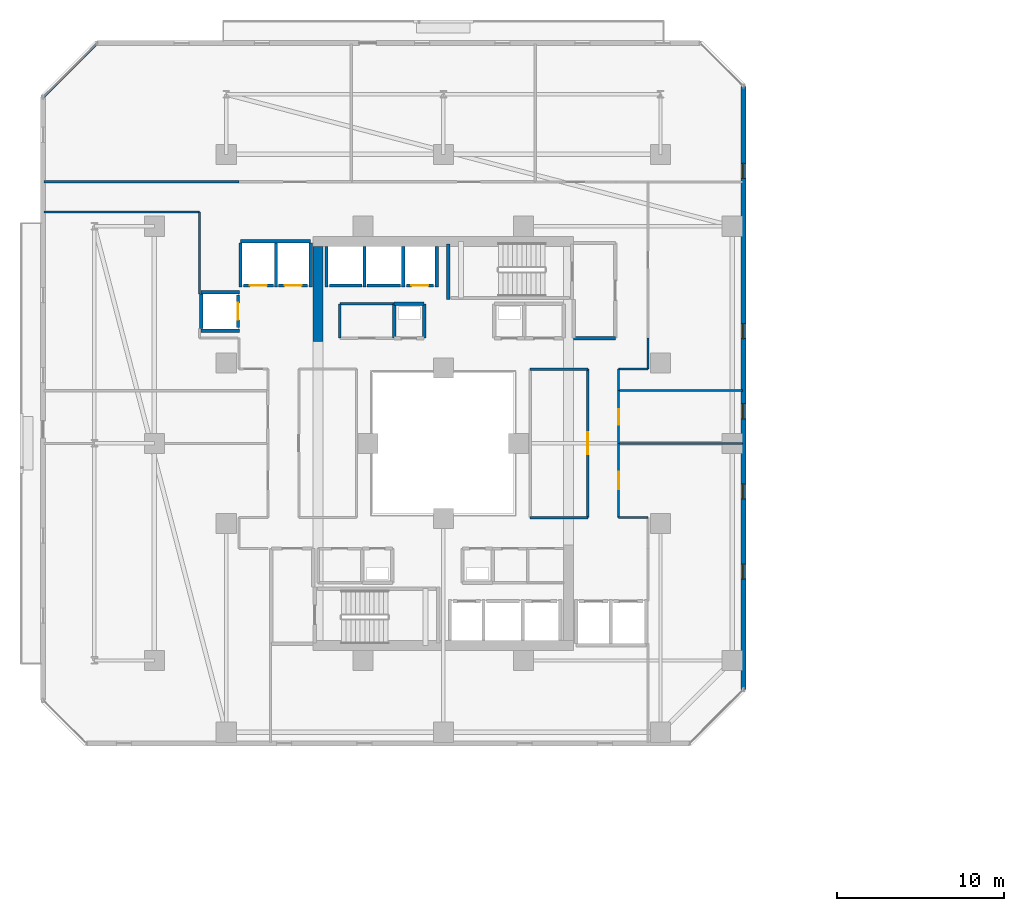
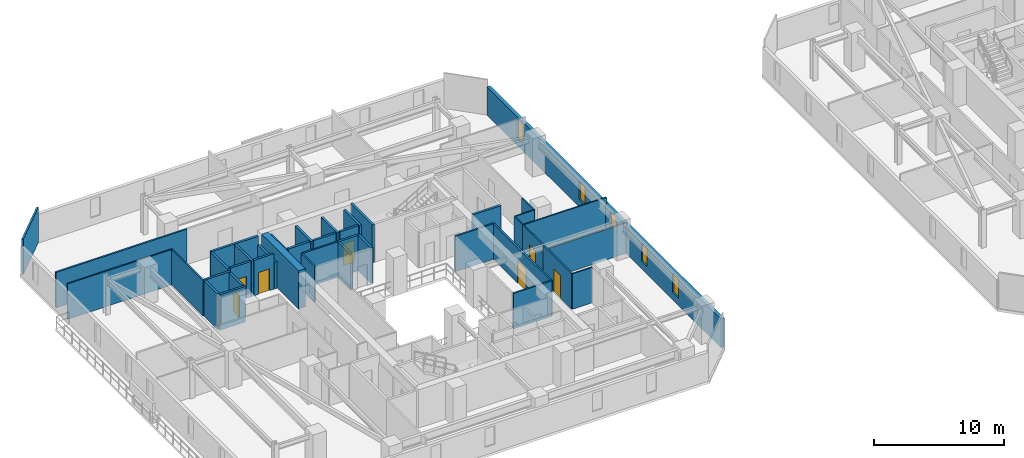
# One storey, part 21 of 33: 41 walls, 7 doors, 5 windows, 12 openings.
"""IFC4 building model written with IfcOpenShell, lengths in metres."""

import ifcopenshell
import ifcopenshell.guid

model = None  # the IFC model being written
_history = None  # IfcOwnerHistory: only IFC2X3 demands one
_inside = {}  # id of a spatial element -> (the spatial element, [elements in it])
_under = {}  # id of a project, library or spatial element -> (it, [spatial elements below it])
_declared = {}  # id of a project -> (the project, [libraries it declares])
_typed = {}  # id of a type object -> (the type object, [elements of that type])
_made_of = {}  # id of a material, layer set ... -> (it, [elements and type objects made of it])


def new_model(schema):
    """Start an empty IFC model of exactly this schema.

    Asked for "IFC4X3", IfcOpenShell would pick the latest addendum, in which some entities
    have other attributes; the version numbers below select the first issue.
    IFC2X3 requires an IfcOwnerHistory on every rooted entity: one is made here for all.
    """
    global model, _history
    if schema == "IFC4X3":
        model = ifcopenshell.file(schema_version=(4, 3, 0, 0))
    else:
        model = ifcopenshell.file(schema=schema)
    _inside.clear()
    _under.clear()
    _declared.clear()
    _typed.clear()
    _made_of.clear()
    _history = None
    if model.schema == "IFC2X3":
        org = make("IfcOrganization", Name="unknown")
        user = make(
            "IfcPersonAndOrganization",
            ThePerson=make("IfcPerson", FamilyName="unknown"),
            TheOrganization=org,
        )
        app = make(
            "IfcApplication",
            ApplicationDeveloper=org,
            Version="unknown",
            ApplicationFullName="unknown",
            ApplicationIdentifier="unknown",
        )
        _history = make(
            "IfcOwnerHistory",
            OwningUser=user,
            OwningApplication=app,
            ChangeAction="ADDED",
            CreationDate=0,
        )
    return model


def make(cls, **values):
    """One entity of the class cls with the attributes given. An attribute that is None is left unset."""
    return model.create_entity(
        cls, **{name: value for name, value in values.items() if value is not None}
    )


def rooted(cls, **values):
    """An entity with a GlobalId (a new one), such as an element, a storey or a relation."""
    return make(cls, GlobalId=ifcopenshell.guid.new(), OwnerHistory=_history, **values)


def si_unit(unit_type, name, prefix=None):
    """IfcSIUnit, for example si_unit("LENGTHUNIT", "METRE", prefix="MILLI")."""
    return make("IfcSIUnit", UnitType=unit_type, Prefix=prefix, Name=name)


def assignment(units):
    """IfcUnitAssignment: the units of a project."""
    return None if units is None else make("IfcUnitAssignment", Units=units)


def point(xyz):
    """IfcCartesianPoint."""
    return None if xyz is None else make("IfcCartesianPoint", Coordinates=xyz)


def direction(xyz):
    """IfcDirection."""
    return None if xyz is None else make("IfcDirection", DirectionRatios=xyz)


def frame(location, z_axis=None, x_axis=None):
    """IfcAxis2Placement3D, a coordinate frame: its origin and axes. An axis left out is left unset."""
    return make(
        "IfcAxis2Placement3D",
        Location=point(location),
        Axis=direction(z_axis),
        RefDirection=direction(x_axis),
    )


def frame_2d(location, x_axis=None):
    """IfcAxis2Placement2D, a coordinate frame in the plane: its origin and x axis."""
    return make(
        "IfcAxis2Placement2D", Location=point(location), RefDirection=direction(x_axis)
    )


def origin():
    """The frame at (0, 0, 0) with its axes left unset."""
    return frame((0.0, 0.0, 0.0))


def place(relative_to, where):
    """IfcLocalPlacement: puts the frame where relative to a parent placement (None: the world)."""
    return make(
        "IfcLocalPlacement", PlacementRelTo=relative_to, RelativePlacement=where
    )


def context(
    kind, dimensions, precision=None, world=None, true_north=None, identifier=None
):
    """IfcGeometricRepresentationContext, for example the 3D "Model" context."""
    return make(
        "IfcGeometricRepresentationContext",
        ContextIdentifier=identifier,
        ContextType=kind,
        CoordinateSpaceDimension=dimensions,
        Precision=precision,
        WorldCoordinateSystem=world,
        TrueNorth=true_north,
    )


def subcontext(parent, identifier, kind, view, scale=None):
    """IfcGeometricRepresentationSubContext, for example "Body" below "Model"."""
    return make(
        "IfcGeometricRepresentationSubContext",
        ContextIdentifier=identifier,
        ContextType=kind,
        ParentContext=parent,
        TargetScale=scale,
        TargetView=view,
    )


def project(units=None, contexts=None):
    """IfcProject with its units and contexts."""
    return rooted(
        "IfcProject",
        Name="project",
        RepresentationContexts=contexts,
        UnitsInContext=assignment(units),
    )


def spatial(cls, under=None, at=None, **own):
    """A site, building, storey or space (cls), placed at a placement, below another one or the project."""
    s = rooted(cls, ObjectPlacement=at, **own)
    if under is not None:
        _under.setdefault(under.id(), (under, []))[1].append(s)
    return s


def profile(cls, at=None, kind="AREA", **sizes):
    """A parametric profile (cls). Its sizes go by their IFC names, for example OverallWidth=200.0."""
    return make(cls, ProfileType=kind, Position=at, **sizes)


def rectangle(**sizes):
    """IfcRectangleProfileDef."""
    return profile("IfcRectangleProfileDef", **sizes)


def extrude(swept, where, along, depth):
    """IfcExtrudedAreaSolid: the profile swept, set in the frame where, extruded along a direction by depth."""
    return make(
        "IfcExtrudedAreaSolid",
        SweptArea=swept,
        Position=where,
        ExtrudedDirection=direction(along),
        Depth=depth,
    )


def shape(context_of_items, identifier, shape_type, items):
    """IfcShapeRepresentation: the items that make up one representation, for example the "Body"."""
    return make(
        "IfcShapeRepresentation",
        ContextOfItems=context_of_items,
        RepresentationIdentifier=identifier,
        RepresentationType=shape_type,
        Items=items,
    )


def material(Name=None, Category=None):
    """IfcMaterial."""
    return make("IfcMaterial", Name=Name, Category=Category)


def layer(
    of_material, thickness, ventilated=None, Name=None, Category=None, Priority=None
):
    """IfcMaterialLayer: one layer of a wall or slab, of a material (None: an air gap)."""
    return make(
        "IfcMaterialLayer",
        Material=of_material,
        LayerThickness=thickness,
        IsVentilated=ventilated,
        Name=Name,
        Category=Category,
        Priority=Priority,
    )


def layer_set(layers, Name=None):
    """IfcMaterialLayerSet."""
    return make("IfcMaterialLayerSet", MaterialLayers=layers, LayerSetName=Name)


def made_of(thing, what):
    """Note that an element or type object is made of a material, layer set ...; save() writes the relation."""
    if what is not None:
        _made_of.setdefault(what.id(), (what, []))[1].append(thing)
    return thing


def type_object(cls, material=None, **own):
    """A type object (cls), such as IfcWallType, which elements share."""
    return made_of(rooted(cls, **own), material)


def element(
    cls,
    number,
    at=None,
    inside=None,
    cuts=None,
    type_object=None,
    material=None,
    context=None,
    identifier="Body",
    shape_type=None,
    held_by="IfcProductDefinitionShape",
    body=None,
    shapes=None,
    **own,
):
    """One element of the class cls, such as IfcWall. Its Tag is "e" and its number.

    at: its placement. inside: the storey or other place that contains it. cuts: it is an
    opening in that element (IfcRelVoidsElement). A single representation is given by context,
    identifier, shape_type and body (its items); several are given by shapes. held_by: the class
    of the entity that holds the representations. save() writes the other relations.
    """
    e = rooted(cls, Tag="e%d" % number, ObjectPlacement=at, **own)
    if body is not None:
        shapes = [shape(context, identifier, shape_type, body)]
    if shapes is not None:
        e.Representation = make(held_by, Representations=shapes)
    if inside is not None:
        _inside.setdefault(inside.id(), (inside, []))[1].append(e)
    if cuts is not None:
        rooted(
            "IfcRelVoidsElement", RelatingBuildingElement=cuts, RelatedOpeningElement=e
        )
    if type_object is not None:
        _typed.setdefault(type_object.id(), (type_object, []))[1].append(e)
    return made_of(e, material)


def fill(opening, filler):
    """IfcRelFillsElement: the door or window that sits in an opening."""
    return rooted(
        "IfcRelFillsElement",
        RelatingOpeningElement=opening,
        RelatedBuildingElement=filler,
    )


def aggregate(whole, parts):
    """IfcRelAggregates: a whole, such as a stair, and the parts it consists of."""
    return rooted("IfcRelAggregates", RelatingObject=whole, RelatedObjects=parts)


def save(model, path):
    """Write the relations noted so far, then the file.

    IfcRelAggregates (storeys below a building ...), IfcRelContainedInSpatialStructure (elements
    in a storey), IfcRelDefinesByType, IfcRelAssociatesMaterial and IfcRelDeclares: one each for
    every whole, place, type object, material and project.
    """
    for whole, parts in _under.values():
        aggregate(whole, parts)
    for where, things in _inside.values():
        rooted(
            "IfcRelContainedInSpatialStructure",
            RelatedElements=things,
            RelatingStructure=where,
        )
    for kind, things in _typed.values():
        rooted("IfcRelDefinesByType", RelatedObjects=things, RelatingType=kind)
    for what, things in _made_of.values():
        rooted("IfcRelAssociatesMaterial", RelatedObjects=things, RelatingMaterial=what)
    for by, libraries in _declared.values():
        rooted("IfcRelDeclares", RelatingContext=by, RelatedDefinitions=libraries)
    model.write(path)


model = new_model("IFC4")

# Units and contexts
model_context = context("Model", 3, precision=1e-05, world=origin(), true_north=direction((0.0, 1.0)))
body_context = subcontext(model_context, "Body", "Model", "MODEL_VIEW")
ifc_project = project(units=[si_unit("LENGTHUNIT", "METRE"), si_unit("AREAUNIT", "SQUARE_METRE"), si_unit("VOLUMEUNIT", "CUBIC_METRE"), si_unit("PLANEANGLEUNIT", "RADIAN"), si_unit("MASSUNIT", "GRAM", prefix="KILO")], contexts=[model_context])

# Site, building, storey
site_placement = place(None, origin())
site = spatial("IfcSite", under=ifc_project, at=site_placement, CompositionType="ELEMENT")
building_placement = place(site_placement, origin())
building = spatial("IfcBuilding", under=site, at=building_placement, Name="Thornwick Lancets Civic Towers", CompositionType="ELEMENT")
storey_placement = place(building_placement, frame((0.0, 0.0, 108.89990234375)))
storey = spatial("IfcBuildingStorey", under=building, at=storey_placement, Name="L28", CompositionType="ELEMENT", Elevation=108.89990234375)

# Wall, opening, door
ifc_material_1 = material(Name="Concrete blockwork C40/50", Category="masonry")
ifc_layer_1 = layer(ifc_material_1, 0.199951171875, Name="Concrete blockwork C40/50")
ifc_layer_set_1 = layer_set([ifc_layer_1], Name="Concrete blockwork C40/50")
wall_type_1 = type_object("IfcWallType", Name="WALL_COMP_200", PredefinedType="STANDARD", material=ifc_layer_set_1)
wall_1_placement = place(storey_placement, frame((24.919921875, 36.449951171875, 0.0), z_axis=(0.0, 0.0, 1.0), x_axis=(-1.0, 0.0, 0.0)))
wall_1 = element("IfcWall", 1, at=wall_1_placement, inside=storey, type_object=wall_type_1, Name="L28 Hoistway Front Wall FL-A2", PredefinedType="STANDARD", context=body_context, shape_type="SweptSolid", body=[
    extrude(rectangle(XDim=1.639892578125, YDim=0.199951171875, at=frame_2d((0.81982421875, 0.0))), origin(), (0.0, 0.0, 1.0), 3.340087890625),
])
opening_1_placement = place(wall_1_placement, frame((0.31005859375, 0.0, 0.0)))
opening_1 = element("IfcOpeningElement", 2, at=opening_1_placement, cuts=wall_1, Name="Opening LD-FL-A2", PredefinedType="OPENING", context=body_context, shape_type="SweptSolid", body=[
    extrude(rectangle(XDim=1.02001953125, YDim=2.06005859375, at=frame_2d((0.510009765625, 1.030029296875))), frame((0.0, 0.10986328125, 0.0), z_axis=(0.0, -1.0, 0.0), x_axis=(1.0, 0.0, 0.0)), (0.0, 0.0, 1.0), 0.219970703125),
])
ifc_material_2 = material(Name="Brushed bronze stainless steel", Category="steel")
door_type_1 = type_object("IfcDoorType", Name="DOOR_LIFT_SLIDE", OperationType="SLIDING_TO_LEFT", PredefinedType="DOOR", material=ifc_material_2)
door_1_placement = place(opening_1_placement, origin())
door_1 = element("IfcDoor", 3, at=door_1_placement, inside=storey, type_object=door_type_1, Name="L28 Sliding Lift Landing Door LD-FL-A2", OperationType="SLIDING_TO_LEFT", OverallHeight=2.06005859375, OverallWidth=1.02001953125, PredefinedType="DOOR", context=body_context, shape_type="SweptSolid", body=[
    extrude(rectangle(XDim=1.02001953125, YDim=2.06005859375, at=frame_2d((0.510009765625, 1.030029296875))), frame((0.0, 0.02490234375, 0.0), z_axis=(0.0, -1.0, 0.0), x_axis=(1.0, 0.0, 0.0)), (0.0, 0.0, 1.0), 0.050048828125),
])
fill(opening_1, door_1)

# Walls
wall_2_placement = place(storey_placement, frame((22.919921875, 36.449951171875, 0.0), z_axis=(0.0, 0.0, 1.0), x_axis=(-1.0, 0.0, 0.0)))
element("IfcWall", 4, at=wall_2_placement, inside=storey, type_object=wall_type_1, Name="L28 Hoistway Front Wall PL-AH2", PredefinedType="STANDARD", context=body_context, shape_type="SweptSolid", body=[
    extrude(rectangle(XDim=1.989990234375, YDim=0.199951171875, at=frame_2d((0.9951171875, 0.0))), origin(), (0.0, 0.0, 1.0), 3.340087890625),
])
wall_3_placement = place(storey_placement, frame((20.6201171875, 36.449951171875, 0.0), z_axis=(0.0, 0.0, 1.0), x_axis=(-1.0, 0.0, 0.0)))
element("IfcWall", 5, at=wall_3_placement, inside=storey, type_object=wall_type_1, Name="L28 Hoistway Front Wall PL-AH3", PredefinedType="STANDARD", context=body_context, shape_type="SweptSolid", body=[
    extrude(rectangle(XDim=1.940185546875, YDim=0.199951171875, at=frame_2d((0.97021484375, 0.0))), origin(), (0.0, 0.0, 1.0), 3.340087890625),
])

# Wall, opening, door
wall_4_placement = place(storey_placement, frame((17.3701171875, 36.449951171875, 0.0), z_axis=(0.0, 0.0, 1.0), x_axis=(-1.0, 0.0, 0.0)))
wall_4 = element("IfcWall", 6, at=wall_4_placement, inside=storey, type_object=wall_type_1, Name="L28 Hoistway Front Wall PL-AM1", PredefinedType="STANDARD", context=body_context, shape_type="SweptSolid", body=[
    extrude(rectangle(XDim=1.740234375, YDim=0.199951171875, at=frame_2d((0.8701171875, 0.0))), origin(), (0.0, 0.0, 1.0), 3.340087890625),
])
opening_2_placement = place(wall_4_placement, frame((0.360107421875, 0.0, 0.0)))
opening_2 = element("IfcOpeningElement", 7, at=opening_2_placement, cuts=wall_4, Name="Opening LD-PL-AM1", PredefinedType="OPENING", context=body_context, shape_type="SweptSolid", body=[
    extrude(rectangle(XDim=1.02001953125, YDim=2.06005859375, at=frame_2d((0.510009765625, 1.030029296875))), frame((0.0, 0.10986328125, 0.0), z_axis=(0.0, -1.0, 0.0), x_axis=(1.0, 0.0, 0.0)), (0.0, 0.0, 1.0), 0.219970703125),
])
door_2_placement = place(opening_2_placement, origin())
door_2 = element("IfcDoor", 8, at=door_2_placement, inside=storey, type_object=door_type_1, Name="L28 Sliding Lift Landing Door LD-PL-AM1", OperationType="SLIDING_TO_LEFT", OverallHeight=2.06005859375, OverallWidth=1.02001953125, PredefinedType="DOOR", context=body_context, shape_type="SweptSolid", body=[
    extrude(rectangle(XDim=1.02001953125, YDim=2.06005859375, at=frame_2d((0.510009765625, 1.030029296875))), frame((0.0, 0.02490234375, 0.0), z_axis=(0.0, -1.0, 0.0), x_axis=(1.0, 0.0, 0.0)), (0.0, 0.0, 1.0), 0.050048828125),
])
fill(opening_2, door_2)

wall_5_placement = place(storey_placement, frame((15.320068359375, 36.449951171875, 0.0), z_axis=(0.0, 0.0, 1.0), x_axis=(-1.0, 0.0, 0.0)))
wall_5 = element("IfcWall", 9, at=wall_5_placement, inside=storey, type_object=wall_type_1, Name="L28 Hoistway Front Wall PL-AM2", PredefinedType="STANDARD", context=body_context, shape_type="SweptSolid", body=[
    extrude(rectangle(XDim=1.7900390625, YDim=0.199951171875, at=frame_2d((0.89501953125, 0.0))), origin(), (0.0, 0.0, 1.0), 3.340087890625),
])
opening_3_placement = place(wall_5_placement, frame((0.385009765625, 0.0, 0.0)))
opening_3 = element("IfcOpeningElement", 10, at=opening_3_placement, cuts=wall_5, Name="Opening LD-PL-AM2", PredefinedType="OPENING", context=body_context, shape_type="SweptSolid", body=[
    extrude(rectangle(XDim=1.02001953125, YDim=2.06005859375, at=frame_2d((0.510009765625, 1.030029296875))), frame((0.0, 0.10986328125, 0.0), z_axis=(0.0, -1.0, 0.0), x_axis=(1.0, 0.0, 0.0)), (0.0, 0.0, 1.0), 0.219970703125),
])
door_3_placement = place(opening_3_placement, origin())
door_3 = element("IfcDoor", 11, at=door_3_placement, inside=storey, type_object=door_type_1, Name="L28 Sliding Lift Landing Door LD-PL-AM2", OperationType="SLIDING_TO_LEFT", OverallHeight=2.06005859375, OverallWidth=1.02001953125, PredefinedType="DOOR", context=body_context, shape_type="SweptSolid", body=[
    extrude(rectangle(XDim=1.02001953125, YDim=2.06005859375, at=frame_2d((0.510009765625, 1.030029296875))), frame((0.0, 0.02490234375, 0.0), z_axis=(0.0, -1.0, 0.0), x_axis=(1.0, 0.0, 0.0)), (0.0, 0.0, 1.0), 0.050048828125),
])
fill(opening_3, door_3)

wall_6_placement = place(storey_placement, frame((13.199951171875, 33.929931640625, 0.0), z_axis=(0.0, 0.0, 1.0), x_axis=(0.0, 1.0, 0.0)))
wall_6 = element("IfcWall", 12, at=wall_6_placement, inside=storey, type_object=wall_type_1, Name="L28 Hoistway Front Wall PL-AM3", PredefinedType="STANDARD", context=body_context, shape_type="SweptSolid", body=[
    extrude(rectangle(XDim=1.940185546875, YDim=0.199951171875, at=frame_2d((0.97021484375, 0.0))), origin(), (0.0, 0.0, 1.0), 3.340087890625),
])
opening_4_placement = place(wall_6_placement, frame((0.4599609375, 0.0, 0.0)))
opening_4 = element("IfcOpeningElement", 13, at=opening_4_placement, cuts=wall_6, Name="Opening LD-PL-AM3", PredefinedType="OPENING", context=body_context, shape_type="SweptSolid", body=[
    extrude(rectangle(XDim=1.02001953125, YDim=2.06005859375, at=frame_2d((0.510009765625, 1.030029296875))), frame((0.0, 0.10986328125, 0.0), z_axis=(0.0, -1.0, 0.0), x_axis=(1.0, 0.0, 0.0)), (0.0, 0.0, 1.0), 0.219970703125),
])
door_4_placement = place(opening_4_placement, origin())
door_4 = element("IfcDoor", 14, at=door_4_placement, inside=storey, type_object=door_type_1, Name="L28 Sliding Lift Landing Door LD-PL-AM3", OperationType="SLIDING_TO_LEFT", OverallHeight=2.06005859375, OverallWidth=1.02001953125, PredefinedType="DOOR", context=body_context, shape_type="SweptSolid", body=[
    extrude(rectangle(XDim=1.02001953125, YDim=2.06005859375, at=frame_2d((0.510009765625, 1.030029296875))), frame((0.0, 0.02490234375, 0.0), z_axis=(0.0, -1.0, 0.0), x_axis=(1.0, 0.0, 0.0)), (0.0, 0.0, 1.0), 0.050048828125),
])
fill(opening_4, door_4)

# Walls
for number, where, z_axis, x_axis, name in (
    (15, (25.10009765625, 36.35205078125, 0.0), (0.0, 0.0, 1.0), (0.0, 1.0, 0.0), "L28 Hoistway Shaft Wall FL-A2 E"),
    (16, (23.10009765625, 36.35205078125, 0.0), (0.0, 0.0, 1.0), (0.0, 1.0, 0.0), "L28 Hoistway Shaft Wall FL-A2 W"),
    (17, (20.77490234375, 36.35205078125, 0.0), (0.0, 0.0, 1.0), (0.0, 1.0, 0.0), "L28 Hoistway Shaft Wall PL-AH2 W"),
    (18, (18.5, 36.35205078125, 0.0), (0.0, 0.0, 1.0), (0.0, 1.0, 0.0), "L28 Hoistway Shaft Wall PL-AH3 W"),
):
    element("IfcWall", number, at=place(storey_placement, frame(where, z_axis=z_axis, x_axis=x_axis)), inside=storey, type_object=wall_type_1, Name=name, PredefinedType="STANDARD", context=body_context, shape_type="SweptSolid", body=[
        extrude(rectangle(XDim=2.43603515625, YDim=0.199951171875, at=frame_2d((1.218017578125, 0.0))), origin(), (0.0, 0.0, 1.0), 3.340087890625),
    ])
wall_7_placement = place(storey_placement, frame((13.35205078125, 39.10009765625, 0.0), z_axis=(0.0, 0.0, 1.0), x_axis=(1.0, 0.0, 0.0)))
element("IfcWall", 19, at=wall_7_placement, inside=storey, type_object=wall_type_1, Name="L28 Hoistway Shaft Wall PL-AM1 N", PredefinedType="STANDARD", context=body_context, shape_type="SweptSolid", body=[
    extrude(rectangle(XDim=4.196044921875, YDim=0.199951171875, at=frame_2d((2.09814453125, 0.0))), origin(), (0.0, 0.0, 1.0), 3.340087890625),
])
wall_8_placement = place(storey_placement, frame((17.550048828125, 36.35205078125, 0.0), z_axis=(0.0, 0.0, 1.0), x_axis=(0.0, 1.0, 0.0)))
element("IfcWall", 20, at=wall_8_placement, inside=storey, type_object=wall_type_1, Name="L28 Hoistway Shaft Wall PL-AM1 E", PredefinedType="STANDARD", context=body_context, shape_type="SweptSolid", body=[
    extrude(rectangle(XDim=2.635986328125, YDim=0.199951171875, at=frame_2d((1.31787109375, 0.0))), origin(), (0.0, 0.0, 1.0), 2.545166015625),
])
for number, where, z_axis, x_axis, name in (
    (21, (15.47509765625, 36.35205078125, 0.0), (0.0, 0.0, 1.0), (0.0, 1.0, 0.0), "L28 Hoistway Shaft Wall PL-AM1 W"),
    (22, (13.35009765625, 36.35205078125, 0.0), (0.0, 0.0, 1.0), (0.0, 1.0, 0.0), "L28 Hoistway Shaft Wall PL-AM2 W"),
):
    element("IfcWall", number, at=place(storey_placement, frame(where, z_axis=z_axis, x_axis=x_axis)), inside=storey, type_object=wall_type_1, Name=name, PredefinedType="STANDARD", context=body_context, shape_type="SweptSolid", body=[
        extrude(rectangle(XDim=2.635986328125, YDim=0.199951171875, at=frame_2d((1.31787109375, 0.0))), origin(), (0.0, 0.0, 1.0), 3.340087890625),
    ])
for number, where, z_axis, x_axis, name in (
    (23, (11.001953125, 36.050048828125, 0.0), (0.0, 0.0, 1.0), (1.0, 0.0, 0.0), "L28 Hoistway Shaft Wall PL-AM3 N"),
    (24, (11.001953125, 33.75, 0.0), (0.0, 0.0, 1.0), (1.0, 0.0, 0.0), "L28 Hoistway Shaft Wall PL-AM3 S"),
):
    element("IfcWall", number, at=place(storey_placement, frame(where, z_axis=z_axis, x_axis=x_axis)), inside=storey, type_object=wall_type_1, Name=name, PredefinedType="STANDARD", context=body_context, shape_type="SweptSolid", body=[
        extrude(rectangle(XDim=2.296142578125, YDim=0.199951171875, at=frame_2d((1.14794921875, 0.0))), origin(), (0.0, 0.0, 1.0), 3.340087890625),
    ])
wall_9_placement = place(storey_placement, frame((11.0, 33.862060546875, 0.0), z_axis=(0.0, 0.0, 1.0), x_axis=(0.0, 1.0, 0.0)))
element("IfcWall", 25, at=wall_9_placement, inside=storey, type_object=wall_type_1, Name="L28 Hoistway Shaft Wall PL-AM3 W", PredefinedType="STANDARD", context=body_context, shape_type="SweptSolid", body=[
    extrude(rectangle(XDim=2.075927734375, YDim=0.199951171875, at=frame_2d((1.0380859375, 0.0))), origin(), (0.0, 0.0, 1.0), 3.340087890625),
])
wall_10_placement = place(storey_placement, frame((33.300048828125, 33.300048828125, 0.0), z_axis=(0.0, 0.0, 1.0), x_axis=(1.0, 0.0, 0.0)))
element("IfcWall", 26, at=wall_10_placement, inside=storey, type_object=wall_type_1, Name="L28 Partition L28-A-FFLOB2 E1", PredefinedType="STANDARD", context=body_context, shape_type="SweptSolid", body=[
    extrude(rectangle(XDim=2.5, YDim=0.199951171875, at=frame_2d((1.25, 0.0))), origin(), (0.0, 0.0, 1.0), 3.340087890625),
])
wall_11_placement = place(storey_placement, frame((24.35009765625, 33.300048828125, 0.0), z_axis=(0.0, 0.0, 1.0), x_axis=(0.0, 1.0, 0.0)))
element("IfcWall", 27, at=wall_11_placement, inside=storey, type_object=wall_type_1, Name="L28 Partition L28-A-DUCT2 E2", PredefinedType="STANDARD", context=body_context, shape_type="SweptSolid", body=[
    extrude(rectangle(XDim=2.050048828125, YDim=0.199951171875, at=frame_2d((1.02490234375, 0.0))), origin(), (0.0, 0.0, 1.0), 3.340087890625),
])
wall_12_placement = place(storey_placement, frame((24.35009765625, 35.35009765625, 0.0), z_axis=(0.0, 0.0, 1.0), x_axis=(-1.0, 0.0, 0.0)))
element("IfcWall", 28, at=wall_12_placement, inside=storey, type_object=wall_type_1, Name="L28 Partition L28-A-DUCT2 E3", PredefinedType="STANDARD", context=body_context, shape_type="SweptSolid", body=[
    extrude(rectangle(XDim=1.800048828125, YDim=0.199951171875, at=frame_2d((0.89990234375, 0.0))), origin(), (0.0, 0.0, 1.0), 3.340087890625),
])
wall_13_placement = place(storey_placement, frame((22.550048828125, 35.35009765625, 0.0), z_axis=(0.0, 0.0, 1.0), x_axis=(0.0, -1.0, 0.0)))
element("IfcWall", 29, at=wall_13_placement, inside=storey, type_object=wall_type_1, Name="L28 Partition L28-A-DUCT2 E4", PredefinedType="STANDARD", context=body_context, shape_type="SweptSolid", body=[
    extrude(rectangle(XDim=2.050048828125, YDim=0.199951171875, at=frame_2d((1.02490234375, 0.0))), origin(), (0.0, 0.0, 1.0), 3.340087890625),
])
ifc_material_3 = material(Name="Concrete C60/75", Category="concrete")
ifc_layer_2 = layer(ifc_material_3, 0.60009765625, Name="Concrete C60/75")
ifc_layer_set_2 = layer_set([ifc_layer_2], Name="Concrete C60/75")
wall_type_2 = type_object("IfcWallType", Name="WALL_CORE_600", PredefinedType="SHEAR", material=ifc_layer_set_2)
wall_14_placement = place(storey_placement, frame((18.0, 33.10009765625, 0.0), z_axis=(0.0, 0.0, 1.0), x_axis=(0.0, 1.0, 0.0)))
element("IfcWall", 30, at=wall_14_placement, inside=storey, type_object=wall_type_2, Name="L28 Split Core A2 Shear Wall W", PredefinedType="SHEAR", context=body_context, shape_type="SweptSolid", body=[
    extrude(rectangle(XDim=5.699951171875, YDim=0.60009765625, at=frame_2d((2.85009765625, 0.0))), origin(), (0.0, 0.0, 1.0), 3.60009765625),
])

# Wall, openings, windows
ifc_material_4 = material(Name="Insulated russet terracotta rainscreen on concrete C40/50", Category="masonry")
ifc_layer_3 = layer(ifc_material_4, 0.300048828125, Name="Insulated russet terracotta rainscreen on concrete C40/50")
ifc_layer_set_3 = layer_set([ifc_layer_3], Name="Insulated russet terracotta rainscreen on concrete C40/50")
wall_type_3 = type_object("IfcWallType", Name="WALL_EXT_RUSSET_300", PredefinedType="STANDARD", material=ifc_layer_set_3)
wall_15_placement = place(storey_placement, frame((43.462646484375, 12.271240234375, 0.0), z_axis=(0.0, 0.0, 1.0), x_axis=(5.4088042e-05, 0.999999998537, 0.0)))
wall_15 = element("IfcWall", 31, at=wall_15_placement, inside=storey, type_object=wall_type_3, Name="L28 Tower A Terracotta Facade Wall E2", PredefinedType="STANDARD", context=body_context, shape_type="SweptSolid", body=[
    extrude(rectangle(XDim=36.110107421875, YDim=0.300048828125, at=frame_2d((18.05517578125, 0.0))), origin(), (0.0, 0.0, 1.0), 2.7001953125),
])
opening_5_placement = place(wall_15_placement, frame((6.60009765625, 0.0, 0.719970703125)))
opening_5 = element("IfcOpeningElement", 32, at=opening_5_placement, cuts=wall_15, Name="Opening WL-01", PredefinedType="OPENING", context=body_context, shape_type="SweptSolid", body=[
    extrude(rectangle(XDim=0.89990234375, YDim=1.75, at=frame_2d((0.449951171875, 0.875))), frame((0.0, 0.16015625, 0.0), z_axis=(0.0, -1.0, 0.0), x_axis=(1.0, 0.0, 0.0)), (0.0, 0.0, 1.0), 0.320068359375),
])
opening_6_placement = place(wall_15_placement, frame((11.39990234375, 0.0, 0.719970703125)))
opening_6 = element("IfcOpeningElement", 33, at=opening_6_placement, cuts=wall_15, Name="Opening WL-01", PredefinedType="OPENING", context=body_context, shape_type="SweptSolid", body=[
    extrude(rectangle(XDim=0.89990234375, YDim=1.75, at=frame_2d((0.449951171875, 0.875))), frame((0.0, 0.16015625, 0.0), z_axis=(0.0, -1.0, 0.0), x_axis=(1.0, 0.0, 0.0)), (0.0, 0.0, 1.0), 0.320068359375),
])
opening_7_placement = place(wall_15_placement, frame((16.199951171875, 0.0, 0.719970703125)))
opening_7 = element("IfcOpeningElement", 34, at=opening_7_placement, cuts=wall_15, Name="Opening WL-01", PredefinedType="OPENING", context=body_context, shape_type="SweptSolid", body=[
    extrude(rectangle(XDim=0.89990234375, YDim=1.75, at=frame_2d((0.449951171875, 0.875))), frame((0.0, 0.16015625, 0.0), z_axis=(0.0, -1.0, 0.0), x_axis=(1.0, 0.0, 0.0)), (0.0, 0.0, 1.0), 0.320068359375),
])
opening_8_placement = place(wall_15_placement, frame((21.0, 0.0, 0.719970703125)))
opening_8 = element("IfcOpeningElement", 35, at=opening_8_placement, cuts=wall_15, Name="Opening WL-01", PredefinedType="OPENING", context=body_context, shape_type="SweptSolid", body=[
    extrude(rectangle(XDim=0.89990234375, YDim=1.75, at=frame_2d((0.449951171875, 0.875))), frame((0.0, 0.16015625, 0.0), z_axis=(0.0, -1.0, 0.0), x_axis=(1.0, 0.0, 0.0)), (0.0, 0.0, 1.0), 0.320068359375),
])
opening_9_placement = place(wall_15_placement, frame((30.60009765625, 0.0, 0.719970703125)))
opening_9 = element("IfcOpeningElement", 36, at=opening_9_placement, cuts=wall_15, Name="Opening WL-01", PredefinedType="OPENING", context=body_context, shape_type="SweptSolid", body=[
    extrude(rectangle(XDim=0.89990234375, YDim=1.75, at=frame_2d((0.449951171875, 0.875))), frame((0.0, 0.16015625, 0.0), z_axis=(0.0, -1.0, 0.0), x_axis=(1.0, 0.0, 0.0)), (0.0, 0.0, 1.0), 0.320068359375),
])
ifc_material_5 = material(Name="Clear low-e double glazing in bronze frame", Category="glass")
window_type = type_object("IfcWindowType", Name="WIN_LANCET_900", PartitioningType="SINGLE_PANEL", PredefinedType="WINDOW", material=ifc_material_5)
window_1_placement = place(opening_5_placement, origin())
window_1 = element("IfcWindow", 37, at=window_1_placement, inside=storey, type_object=window_type, Name="L28 Tower A Staggered Lancet Window E2-1", OverallHeight=1.75, OverallWidth=0.89990234375, PartitioningType="SINGLE_PANEL", PredefinedType="WINDOW", context=body_context, shape_type="SweptSolid", body=[
    extrude(rectangle(XDim=0.89990234375, YDim=1.75, at=frame_2d((0.449951171875, 0.875))), frame((0.0, 0.030029296875, 0.0), z_axis=(0.0, -1.0, 0.0), x_axis=(1.0, 0.0, 0.0)), (0.0, 0.0, 1.0), 0.06005859375),
])
fill(opening_5, window_1)
window_2_placement = place(opening_6_placement, origin())
window_2 = element("IfcWindow", 38, at=window_2_placement, inside=storey, type_object=window_type, Name="L28 Tower A Staggered Lancet Window E2-2", OverallHeight=1.75, OverallWidth=0.89990234375, PartitioningType="SINGLE_PANEL", PredefinedType="WINDOW", context=body_context, shape_type="SweptSolid", body=[
    extrude(rectangle(XDim=0.89990234375, YDim=1.75, at=frame_2d((0.449951171875, 0.875))), frame((0.0, 0.030029296875, 0.0), z_axis=(0.0, -1.0, 0.0), x_axis=(1.0, 0.0, 0.0)), (0.0, 0.0, 1.0), 0.06005859375),
])
fill(opening_6, window_2)
window_3_placement = place(opening_7_placement, origin())
window_3 = element("IfcWindow", 39, at=window_3_placement, inside=storey, type_object=window_type, Name="L28 Tower A Staggered Lancet Window E2-3", OverallHeight=1.75, OverallWidth=0.89990234375, PartitioningType="SINGLE_PANEL", PredefinedType="WINDOW", context=body_context, shape_type="SweptSolid", body=[
    extrude(rectangle(XDim=0.89990234375, YDim=1.75, at=frame_2d((0.449951171875, 0.875))), frame((0.0, 0.030029296875, 0.0), z_axis=(0.0, -1.0, 0.0), x_axis=(1.0, 0.0, 0.0)), (0.0, 0.0, 1.0), 0.06005859375),
])
fill(opening_7, window_3)
window_4_placement = place(opening_8_placement, origin())
window_4 = element("IfcWindow", 40, at=window_4_placement, inside=storey, type_object=window_type, Name="L28 Tower A Staggered Lancet Window E2-4", OverallHeight=1.75, OverallWidth=0.89990234375, PartitioningType="SINGLE_PANEL", PredefinedType="WINDOW", context=body_context, shape_type="SweptSolid", body=[
    extrude(rectangle(XDim=0.89990234375, YDim=1.75, at=frame_2d((0.449951171875, 0.875))), frame((0.0, 0.030029296875, 0.0), z_axis=(0.0, -1.0, 0.0), x_axis=(1.0, 0.0, 0.0)), (0.0, 0.0, 1.0), 0.06005859375),
])
fill(opening_8, window_4)
window_5_placement = place(opening_9_placement, origin())
window_5 = element("IfcWindow", 41, at=window_5_placement, inside=storey, type_object=window_type, Name="L28 Tower A Staggered Lancet Window E2-5", OverallHeight=1.75, OverallWidth=0.89990234375, PartitioningType="SINGLE_PANEL", PredefinedType="WINDOW", context=body_context, shape_type="SweptSolid", body=[
    extrude(rectangle(XDim=0.89990234375, YDim=1.75, at=frame_2d((0.449951171875, 0.875))), frame((0.0, 0.030029296875, 0.0), z_axis=(0.0, -1.0, 0.0), x_axis=(1.0, 0.0, 0.0)), (0.0, 0.0, 1.0), 0.06005859375),
])
fill(opening_9, window_5)

# Walls
ifc_material_6 = material(Name="Acoustic gypsum board partition")
ifc_layer_4 = layer(ifc_material_6, 0.1201171875, Name="Acoustic gypsum board partition")
ifc_layer_set_4 = layer_set([ifc_layer_4], Name="Acoustic gypsum board partition")
wall_type_4 = type_object("IfcWallType", Name="WALL_PART_120", PredefinedType="PARTITIONING", material=ifc_layer_set_4)
wall_16_placement = place(storey_placement, frame((10.89990234375, 40.85009765625, 0.0), z_axis=(0.0, 0.0, 1.0), x_axis=(0.0, -1.0, 0.0)))
element("IfcWall", 42, at=wall_16_placement, inside=storey, type_object=wall_type_4, Name="L28 Partition L28-A-W3 E1", PredefinedType="PARTITIONING", context=body_context, shape_type="SweptSolid", body=[
    extrude(rectangle(XDim=4.912109375, YDim=0.1201171875, at=frame_2d((2.4560546875, 0.0))), origin(), (0.0, 0.0, 1.0), 3.340087890625),
])
wall_17_placement = place(storey_placement, frame((1.580078125, 40.85009765625, 0.0), z_axis=(0.0, 0.0, 1.0), x_axis=(1.0, 0.0, 0.0)))
element("IfcWall", 43, at=wall_17_placement, inside=storey, type_object=wall_type_4, Name="L28 Partition L28-A-W3 E9", PredefinedType="PARTITIONING", context=body_context, shape_type="SweptSolid", body=[
    extrude(rectangle(XDim=9.31982421875, YDim=0.1201171875, at=frame_2d((4.659912109375, 0.0))), origin(), (0.0, 0.0, 1.0), 3.340087890625),
])
wall_18_placement = place(storey_placement, frame((37.75, 22.550048828125, 0.0), z_axis=(0.0, 0.0, 1.0), x_axis=(-1.0, 0.0, 0.0)))
element("IfcWall", 44, at=wall_18_placement, inside=storey, type_object=wall_type_4, Name="L28 Partition L28-A-E1 E3", PredefinedType="PARTITIONING", context=body_context, shape_type="SweptSolid", body=[
    extrude(rectangle(XDim=1.75, YDim=0.1201171875, at=frame_2d((0.875, 0.0))), origin(), (0.0, 0.0, 1.0), 3.340087890625),
])

# Wall, opening, door
wall_19_placement = place(storey_placement, frame((36.0, 22.550048828125, 0.0), z_axis=(0.0, 0.0, 1.0), x_axis=(0.0, 1.0, 0.0)))
wall_19 = element("IfcWall", 45, at=wall_19_placement, inside=storey, type_object=wall_type_4, Name="L28 Partition L28-A-E1 E4", PredefinedType="PARTITIONING", context=body_context, shape_type="SweptSolid", body=[
    extrude(rectangle(XDim=4.449951171875, YDim=0.1201171875, at=frame_2d((2.22509765625, 0.0))), origin(), (0.0, 0.0, 1.0), 3.340087890625),
])
opening_10_placement = place(wall_19_placement, frame((1.699951171875, 0.0, 0.0)))
opening_10 = element("IfcOpeningElement", 46, at=opening_10_placement, cuts=wall_19, Name="Opening D-L28-1298", PredefinedType="OPENING", context=body_context, shape_type="SweptSolid", body=[
    extrude(rectangle(XDim=1.050048828125, YDim=2.10009765625, at=frame_2d((0.52490234375, 1.050048828125))), frame((0.0, 0.070068359375, 0.0), z_axis=(0.0, -1.0, 0.0), x_axis=(1.0, 0.0, 0.0)), (0.0, 0.0, 1.0), 0.14013671875),
])
ifc_material_7 = material(Name="Glazed European oak executive doorset")
door_type_2 = type_object("IfcDoorType", Name="DOOR_OFFICE_1050", OperationType="NOTDEFINED", PredefinedType="DOOR", material=ifc_material_7)
door_5_placement = place(opening_10_placement, origin())
door_5 = element("IfcDoor", 47, at=door_5_placement, inside=storey, type_object=door_type_2, Name="L28 Tower A Secretariat Open Office E1 Door", OperationType="SINGLE_SWING_LEFT", OverallHeight=2.10009765625, OverallWidth=1.050048828125, PredefinedType="DOOR", context=body_context, shape_type="SweptSolid", body=[
    extrude(rectangle(XDim=1.050048828125, YDim=2.10009765625, at=frame_2d((0.52490234375, 1.050048828125))), frame((0.0, 0.02490234375, 0.0), z_axis=(0.0, -1.0, 0.0), x_axis=(1.0, 0.0, 0.0)), (0.0, 0.0, 1.0), 0.050048828125),
])
fill(opening_10, door_5)

# Wall
wall_20_placement = place(storey_placement, frame((36.0, 27.0, 0.0), z_axis=(0.0, 0.0, 1.0), x_axis=(1.0, 0.0, 0.0)))
element("IfcWall", 48, at=wall_20_placement, inside=storey, type_object=wall_type_4, Name="L28 Partition L28-A-E1 E5", PredefinedType="PARTITIONING", context=body_context, shape_type="SweptSolid", body=[
    extrude(rectangle(XDim=7.419921875, YDim=0.1201171875, at=frame_2d((3.7099609375, 0.0))), origin(), (0.0, 0.0, 1.0), 2.881591796875),
])

# Wall, opening, door
wall_21_placement = place(storey_placement, frame((36.0, 27.0, 0.0), z_axis=(0.0, 0.0, 1.0), x_axis=(0.0, 1.0, 0.0)))
wall_21 = element("IfcWall", 49, at=wall_21_placement, inside=storey, type_object=wall_type_4, Name="L28 Partition L28-A-E2 E1", PredefinedType="PARTITIONING", context=body_context, shape_type="SweptSolid", body=[
    extrude(rectangle(XDim=3.14990234375, YDim=0.1201171875, at=frame_2d((1.574951171875, 0.0))), origin(), (0.0, 0.0, 1.0), 3.340087890625),
])
opening_11_placement = place(wall_21_placement, frame((1.10009765625, 0.0, 0.0)))
opening_11 = element("IfcOpeningElement", 50, at=opening_11_placement, cuts=wall_21, Name="Opening D-L28-1299", PredefinedType="OPENING", context=body_context, shape_type="SweptSolid", body=[
    extrude(rectangle(XDim=0.949951171875, YDim=2.10009765625, at=frame_2d((0.47509765625, 1.050048828125))), frame((0.0, 0.070068359375, 0.0), z_axis=(0.0, -1.0, 0.0), x_axis=(1.0, 0.0, 0.0)), (0.0, 0.0, 1.0), 0.14013671875),
])
ifc_material_8 = material(Name="European oak acoustic doorset")
door_type_3 = type_object("IfcDoorType", Name="DOOR_OFFICE_950", OperationType="NOTDEFINED", PredefinedType="DOOR", material=ifc_material_8)
door_6_placement = place(opening_11_placement, origin())
door_6 = element("IfcDoor", 51, at=door_6_placement, inside=storey, type_object=door_type_3, Name="L28 Tower A Visitors Reception and Waiting Door", OperationType="SINGLE_SWING_RIGHT", OverallHeight=2.10009765625, OverallWidth=0.949951171875, PredefinedType="DOOR", context=body_context, shape_type="SweptSolid", body=[
    extrude(rectangle(XDim=0.949951171875, YDim=2.10009765625, at=frame_2d((0.47509765625, 1.050048828125))), frame((0.0, 0.02490234375, 0.0), z_axis=(0.0, -1.0, 0.0), x_axis=(1.0, 0.0, 0.0)), (0.0, 0.0, 1.0), 0.050048828125),
])
fill(opening_11, door_6)

# Walls
wall_22_placement = place(storey_placement, frame((36.0, 30.14990234375, 0.0), z_axis=(0.0, 0.0, 1.0), x_axis=(1.0, 0.0, 0.0)))
element("IfcWall", 52, at=wall_22_placement, inside=storey, type_object=wall_type_4, Name="L28 Partition L28-A-E2 E2", PredefinedType="PARTITIONING", context=body_context, shape_type="SweptSolid", body=[
    extrude(rectangle(XDim=7.419921875, YDim=0.1201171875, at=frame_2d((3.7099609375, 0.0))), origin(), (0.0, 0.0, 1.0), 3.340087890625),
])
wall_23_placement = place(storey_placement, frame((36.0, 31.449951171875, 0.0), z_axis=(0.0, 0.0, 1.0), x_axis=(1.0, 0.0, 0.0)))
element("IfcWall", 53, at=wall_23_placement, inside=storey, type_object=wall_type_4, Name="L28 Partition L28-A-E3 E1", PredefinedType="PARTITIONING", context=body_context, shape_type="SweptSolid", body=[
    extrude(rectangle(XDim=1.75, YDim=0.1201171875, at=frame_2d((0.875, 0.0))), origin(), (0.0, 0.0, 1.0), 3.340087890625),
])
wall_24_placement = place(storey_placement, frame((37.75, 31.449951171875, 0.0), z_axis=(0.0, 0.0, 1.0), x_axis=(0.0, 1.0, 0.0)))
element("IfcWall", 54, at=wall_24_placement, inside=storey, type_object=wall_type_4, Name="L28 Partition L28-A-E3 E2", PredefinedType="PARTITIONING", context=body_context, shape_type="SweptSolid", body=[
    extrude(rectangle(XDim=1.85009765625, YDim=0.1201171875, at=frame_2d((0.925048828125, 0.0))), origin(), (0.0, 0.0, 1.0), 3.340087890625),
])
wall_25_placement = place(storey_placement, frame((36.0, 30.14990234375, 0.0), z_axis=(0.0, 0.0, 1.0), x_axis=(0.0, 1.0, 0.0)))
element("IfcWall", 55, at=wall_25_placement, inside=storey, type_object=wall_type_4, Name="L28 Partition L28-A-E3 E7", PredefinedType="PARTITIONING", context=body_context, shape_type="SweptSolid", body=[
    extrude(rectangle(XDim=1.300048828125, YDim=0.1201171875, at=frame_2d((0.64990234375, 0.0))), origin(), (0.0, 0.0, 1.0), 3.340087890625),
])
ifc_material_9 = material(Name="Twin-stud acoustic gypsum board")
ifc_layer_5 = layer(ifc_material_9, 0.14990234375, Name="Twin-stud acoustic gypsum board")
ifc_layer_set_5 = layer_set([ifc_layer_5], Name="Twin-stud acoustic gypsum board")
wall_type_5 = type_object("IfcWallType", Name="WALL_PART_150", PredefinedType="PARTITIONING", material=ifc_layer_set_5)
wall_26_placement = place(storey_placement, frame((19.300048828125, 33.300048828125, 0.0), z_axis=(0.0, 0.0, 1.0), x_axis=(0.0, 1.0, 0.0)))
element("IfcWall", 56, at=wall_26_placement, inside=storey, type_object=wall_type_5, Name="L28 Partition L28-A-FWC E1", PredefinedType="PARTITIONING", context=body_context, shape_type="SweptSolid", body=[
    extrude(rectangle(XDim=2.050048828125, YDim=0.14990234375, at=frame_2d((1.02490234375, 0.0))), origin(), (0.0, 0.0, 1.0), 3.340087890625),
])
wall_27_placement = place(storey_placement, frame((19.300048828125, 35.35009765625, 0.0), z_axis=(0.0, 0.0, 1.0), x_axis=(1.0, 0.0, 0.0)))
element("IfcWall", 57, at=wall_27_placement, inside=storey, type_object=wall_type_5, Name="L28 Partition L28-A-FWC E2", PredefinedType="PARTITIONING", context=body_context, shape_type="SweptSolid", body=[
    extrude(rectangle(XDim=3.25, YDim=0.14990234375, at=frame_2d((1.625, 0.0))), origin(), (0.0, 0.0, 1.0), 3.340087890625),
])
wall_28_placement = place(storey_placement, frame((30.699951171875, 31.449951171875, 0.0), z_axis=(0.0, 0.0, 1.0), x_axis=(1.0, 0.0, 0.0)))
element("IfcWall", 58, at=wall_28_placement, inside=storey, type_object=wall_type_5, Name="L28 Partition L28-A-ATR-E E2", PredefinedType="PARTITIONING", context=body_context, shape_type="SweptSolid", body=[
    extrude(rectangle(XDim=3.449951171875, YDim=0.14990234375, at=frame_2d((1.72509765625, 0.0))), origin(), (0.0, 0.0, 1.0), 3.340087890625),
])

# Wall, opening, door
wall_29_placement = place(storey_placement, frame((34.14990234375, 31.449951171875, 0.0), z_axis=(0.0, 0.0, 1.0), x_axis=(0.0, -1.0, 0.0)))
wall_29 = element("IfcWall", 59, at=wall_29_placement, inside=storey, type_object=wall_type_5, Name="L28 Partition L28-A-ATR-E E3", PredefinedType="PARTITIONING", context=body_context, shape_type="SweptSolid", body=[
    extrude(rectangle(XDim=8.89990234375, YDim=0.14990234375, at=frame_2d((4.449951171875, 0.0))), origin(), (0.0, 0.0, 1.0), 3.340087890625),
])
opening_12_placement = place(wall_29_placement, frame((3.800048828125, 0.0, 0.0)))
opening_12 = element("IfcOpeningElement", 60, at=opening_12_placement, cuts=wall_29, Name="Opening D-L28-1301", PredefinedType="OPENING", context=body_context, shape_type="SweptSolid", body=[
    extrude(rectangle(XDim=1.300048828125, YDim=2.1201171875, at=frame_2d((0.64990234375, 1.06005859375))), frame((0.0, 0.0849609375, 0.0), z_axis=(0.0, -1.0, 0.0), x_axis=(1.0, 0.0, 0.0)), (0.0, 0.0, 1.0), 0.169921875),
])
ifc_material_10 = material(Name="Acoustic oak leaf-and-a-half doorset")
door_type_4 = type_object("IfcDoorType", Name="DOOR_MEET_1300", OperationType="DOUBLE_DOOR_SINGLE_SWING", PredefinedType="DOOR", material=ifc_material_10)
door_7_placement = place(opening_12_placement, origin())
door_7 = element("IfcDoor", 61, at=door_7_placement, inside=storey, type_object=door_type_4, Name="L28 Tower A East Atrium Briefing Suite Door", OperationType="DOUBLE_DOOR_SINGLE_SWING", OverallHeight=2.1201171875, OverallWidth=1.300048828125, PredefinedType="DOOR", context=body_context, shape_type="SweptSolid", body=[
    extrude(rectangle(XDim=1.300048828125, YDim=2.1201171875, at=frame_2d((0.64990234375, 1.06005859375))), frame((0.0, 0.02490234375, 0.0), z_axis=(0.0, -1.0, 0.0), x_axis=(1.0, 0.0, 0.0)), (0.0, 0.0, 1.0), 0.050048828125),
])
fill(opening_12, door_7)

# Walls
wall_30_placement = place(storey_placement, frame((34.14990234375, 22.550048828125, 0.0), z_axis=(0.0, 0.0, 1.0), x_axis=(-1.0, 0.0, 0.0)))
element("IfcWall", 62, at=wall_30_placement, inside=storey, type_object=wall_type_5, Name="L28 Partition L28-A-ATR-E E4", PredefinedType="PARTITIONING", context=body_context, shape_type="SweptSolid", body=[
    extrude(rectangle(XDim=3.449951171875, YDim=0.14990234375, at=frame_2d((1.72509765625, 0.0))), origin(), (0.0, 0.0, 1.0), 3.340087890625),
])
wall_31_placement = place(storey_placement, frame((13.25, 42.64990234375, 0.0), z_axis=(0.0, 0.0, 1.0), x_axis=(-1.0, 0.0, 0.0)))
element("IfcWall", 63, at=wall_31_placement, inside=storey, type_object=wall_type_5, Name="L28 Partition L28-A-N-CONF E1", PredefinedType="PARTITIONING", context=body_context, shape_type="SweptSolid", body=[
    extrude(rectangle(XDim=11.669921875, YDim=0.14990234375, at=frame_2d((5.8349609375, 0.0))), origin(), (0.0, 0.0, 1.0), 3.340087890625),
])
wall_32_placement = place(storey_placement, frame((1.580078125, 47.7705078125, 0.0), z_axis=(0.0, 0.0, 1.0), x_axis=(0.707106781187, 0.707106781187, 0.0)))
element("IfcWall", 64, at=wall_32_placement, inside=storey, type_object=wall_type_5, Name="L28 Partition L28-A-N-CONF E3", PredefinedType="PARTITIONING", context=body_context, shape_type="SweptSolid", body=[
    extrude(rectangle(XDim=4.453857421875, YDim=0.14990234375, at=frame_2d((2.22705078125, 0.0))), origin(), (0.0, 0.0, 1.0), 3.340087890625),
])
ifc_material_11 = material(Name="Concrete C40/50", Category="concrete")
ifc_layer_6 = layer(ifc_material_11, 0.199951171875, Name="Concrete C40/50")
ifc_layer_set_6 = layer_set([ifc_layer_6], Name="Concrete C40/50")
wall_type_6 = type_object("IfcWallType", Name="WALL_SHAFT_200", PredefinedType="SHEAR", material=ifc_layer_set_6)
wall_33_placement = place(storey_placement, frame((25.800048828125, 35.60009765625, 0.0), z_axis=(0.0, 0.0, 1.0), x_axis=(0.0, 1.0, 0.0)))
element("IfcWall", 65, at=wall_33_placement, inside=storey, type_object=wall_type_6, Name="L28 ST-A2 Fire Stair Core Wall FAR", PredefinedType="SHEAR", context=body_context, shape_type="SweptSolid", body=[
    extrude(rectangle(XDim=3.349853515625, YDim=0.199951171875, at=frame_2d((1.6748046875, 0.0))), origin(), (0.0, 0.0, 1.0), 3.60009765625),
])

save(model, "model.ifc")
